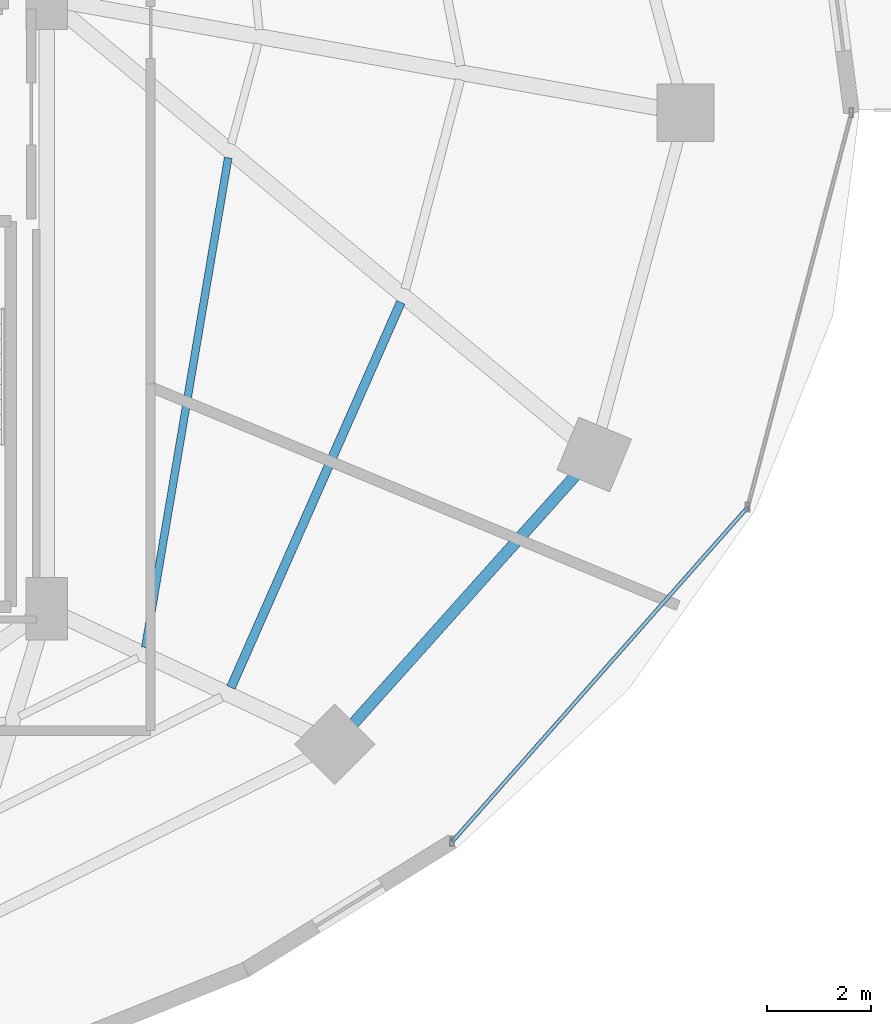
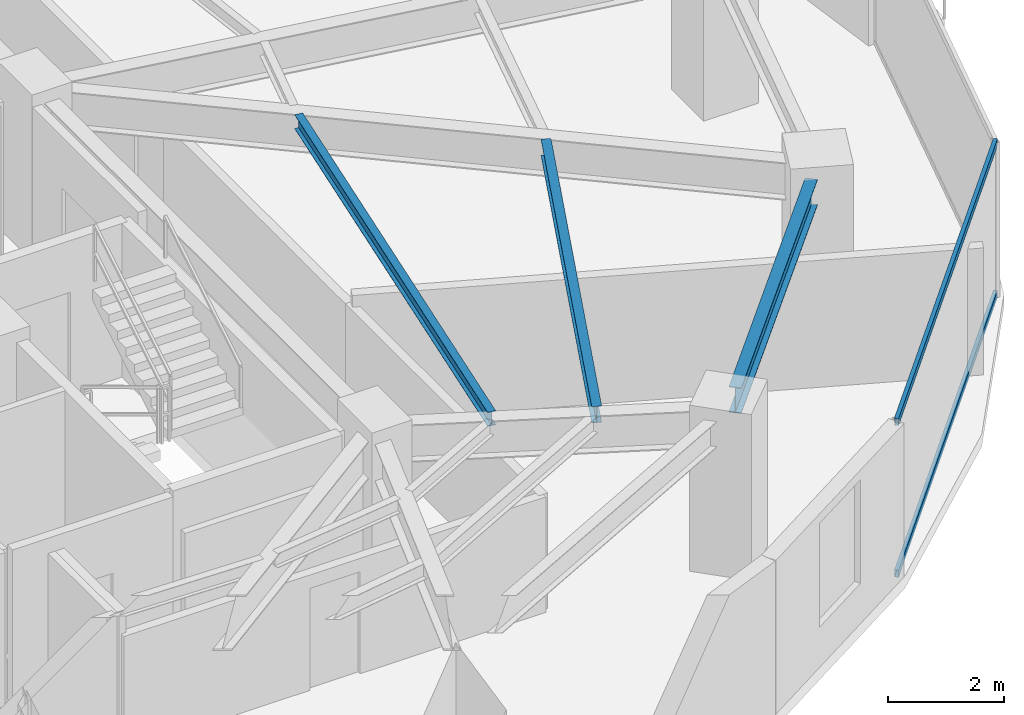
# One storey, part 13 of 30: 3 beams, 2 members, 1 element without a shape of its own.
"""IFC4 building model written with IfcOpenShell, lengths in metres."""

from ifc_helpers import new_model, si_unit, direction, frame, origin, origin_2d, place, context, subcontext, project, spatial, hollow_rectangle, i_section, extrude, material, material_profile, profile_set, type_object, element, aggregate, save


model = new_model("IFC4")

# Units and contexts
model_context = context("Model", 3, precision=1e-05, world=origin(), true_north=direction((0.0, 1.0)))
body_context = subcontext(model_context, "Body", "Model", "MODEL_VIEW")
ifc_project = project(units=[si_unit("LENGTHUNIT", "METRE"), si_unit("AREAUNIT", "SQUARE_METRE"), si_unit("VOLUMEUNIT", "CUBIC_METRE"), si_unit("PLANEANGLEUNIT", "RADIAN"), si_unit("MASSUNIT", "GRAM", prefix="KILO")], contexts=[model_context])

# Site, building, storey
site_placement = place(None, origin())
site = spatial("IfcSite", under=ifc_project, at=site_placement, CompositionType="ELEMENT")
building_placement = place(site_placement, origin())
building = spatial("IfcBuilding", under=site, at=building_placement, Name="Vorneva Point Tower", CompositionType="ELEMENT")
storey_placement = place(building_placement, frame((0.0, 0.0, 78.800048828125)))
storey = spatial("IfcBuildingStorey", under=building, at=storey_placement, Name="L20", CompositionType="ELEMENT", Elevation=78.800048828125)

# Beams
ifc_material_1 = material(Name="Steel S355", Category="steel")
ifc_material_profile_1 = material_profile(ifc_material_1, i_section(OverallWidth=0.14892578125, OverallDepth=0.298095703125, WebThickness=0.005615234375, FlangeThickness=0.008056640625, at=origin_2d()), Name="30B1")
ifc_profile_set_1 = profile_set([ifc_material_profile_1], Name="Steel S355")
beam_type_1 = type_object("IfcBeamType", Name="BM-JST-30B1", PredefinedType="JOIST", material=ifc_profile_set_1)
beam_1_placement = place(storey_placement, frame((50.649658203125, 15.70263671875, 3.091064453125), z_axis=(0.16685295919, 0.985981789897, 0.0), x_axis=(-0.985981789897, 0.16685295919, 0.0)))
element("IfcBeam", 1, at=beam_1_placement, inside=storey, type_object=beam_type_1, Name="L20 Secondary Floor Beam 2.15", PredefinedType="JOIST", context=body_context, shape_type="SweptSolid", body=[
    extrude(i_section(OverallWidth=0.14892578125, OverallDepth=0.298095703125, WebThickness=0.005615234375, FlangeThickness=0.008056640625, at=origin_2d()), origin(), (0.0, 0.0, 1.0), 9.56494140625),
])
ifc_material_profile_2 = material_profile(ifc_material_1, i_section(OverallWidth=0.174072265625, OverallDepth=0.345947265625, WebThickness=0.006103515625, FlangeThickness=0.009033203125, at=origin_2d()), Name="35B1")
ifc_profile_set_2 = profile_set([ifc_material_profile_2], Name="Steel S355")
beam_type_2 = type_object("IfcBeamType", Name="BM-SEC-35B1", PredefinedType="BEAM", material=ifc_profile_set_2)
beam_2_placement = place(storey_placement, frame((52.298583984375, 14.931884765625, 3.06689453125), z_axis=(0.403487441762, 0.91498518258, 0.0), x_axis=(-0.91498518258, 0.403487441762, 0.0)))
element("IfcBeam", 2, at=beam_2_placement, inside=storey, type_object=beam_type_2, Name="L20 Secondary Floor Beam 1.15", PredefinedType="BEAM", context=body_context, shape_type="SweptSolid", body=[
    extrude(i_section(OverallWidth=0.174072265625, OverallDepth=0.345947265625, WebThickness=0.006103515625, FlangeThickness=0.009033203125, at=origin_2d()), origin(), (0.0, 0.0, 1.0), 8.105712890625),
])
ifc_material_profile_3 = material_profile(ifc_material_1, i_section(OverallWidth=0.219970703125, OverallDepth=0.54296875, WebThickness=0.009521484375, FlangeThickness=0.013427734375, at=origin_2d()), Name="55B1")
ifc_profile_set_3 = profile_set([ifc_material_profile_3], Name="Steel S355")
beam_type_3 = type_object("IfcBeamType", Name="BM-SPN-55B1", PredefinedType="SPANDREL", material=ifc_profile_set_3)
beam_3_placement = place(storey_placement, frame((54.65576171875, 14.236328125, 2.968505859375), z_axis=(0.667073815664, 0.744991627105, 0.0), x_axis=(-0.744991627105, 0.667073815664, 0.0)))
element("IfcBeam", 3, at=beam_3_placement, inside=storey, type_object=beam_type_3, Name="L20 Perimeter Spandrel Ring Beam 15", PredefinedType="SPANDREL", context=body_context, shape_type="SweptSolid", body=[
    extrude(i_section(OverallWidth=0.219970703125, OverallDepth=0.54296875, WebThickness=0.009521484375, FlangeThickness=0.013427734375, at=origin_2d()), origin(), (0.0, 0.0, 1.0), 6.420166015625),
])

# Curtain wall, members
ifc_material_2 = material(Name="Pale anodised aluminium", Category="aluminium")
curtain_wall_type = type_object("IfcCurtainWallType", Name="CW-HTL-SYS", PredefinedType="NOTDEFINED", material=ifc_material_2)
curtain_wall_placement = place(storey_placement, origin())
curtain_wall = element("IfcCurtainWall", 4, at=curtain_wall_placement, inside=storey, type_object=curtain_wall_type, Name="L20 Unitised Curtain Wall CW-L20-R04", PredefinedType="NOTDEFINED")
ifc_material_profile_4 = material_profile(ifc_material_2, hollow_rectangle(XDim=0.074951171875, YDim=0.14990234375, WallThickness=0.00390625, at=origin_2d()), Name="AL-TRN 150x75x4")
ifc_profile_set_4 = profile_set([ifc_material_profile_4], Name="Pale anodised aluminium")
member_type = type_object("IfcMemberType", Name="CW-TRN-150", PredefinedType="USERDEFINED", material=ifc_profile_set_4)
member_1_placement = place(storey_placement, frame((56.5615234375, 11.9638671875, 0.02001953125), z_axis=(0.662137326257, 0.74938251993, 0.0), x_axis=(-0.74938251993, 0.662137326257, 0.0)))
member_1 = element("IfcMember", 5, at=member_1_placement, type_object=member_type, Name="CW-L20-R04 Transom 01.1", ObjectType="TRANSOM", PredefinedType="USERDEFINED", context=body_context, shape_type="SweptSolid", body=[
    extrude(hollow_rectangle(XDim=0.074951171875, YDim=0.14990234375, WallThickness=0.00390625, at=origin_2d()), origin(), (0.0, 0.0, 1.0), 8.59375),
])
member_2_placement = place(storey_placement, frame((56.5615234375, 11.9638671875, 3.219970703125), z_axis=(0.662137326257, 0.74938251993, 0.0), x_axis=(-0.74938251993, 0.662137326257, 0.0)))
member_2 = element("IfcMember", 6, at=member_2_placement, type_object=member_type, Name="CW-L20-R04 Transom 01.2", ObjectType="TRANSOM", PredefinedType="USERDEFINED", context=body_context, shape_type="SweptSolid", body=[
    extrude(hollow_rectangle(XDim=0.074951171875, YDim=0.14990234375, WallThickness=0.00390625, at=origin_2d()), origin(), (0.0, 0.0, 1.0), 8.59375),
])
aggregate(curtain_wall, [member_1, member_2])

save(model, "model.ifc")
